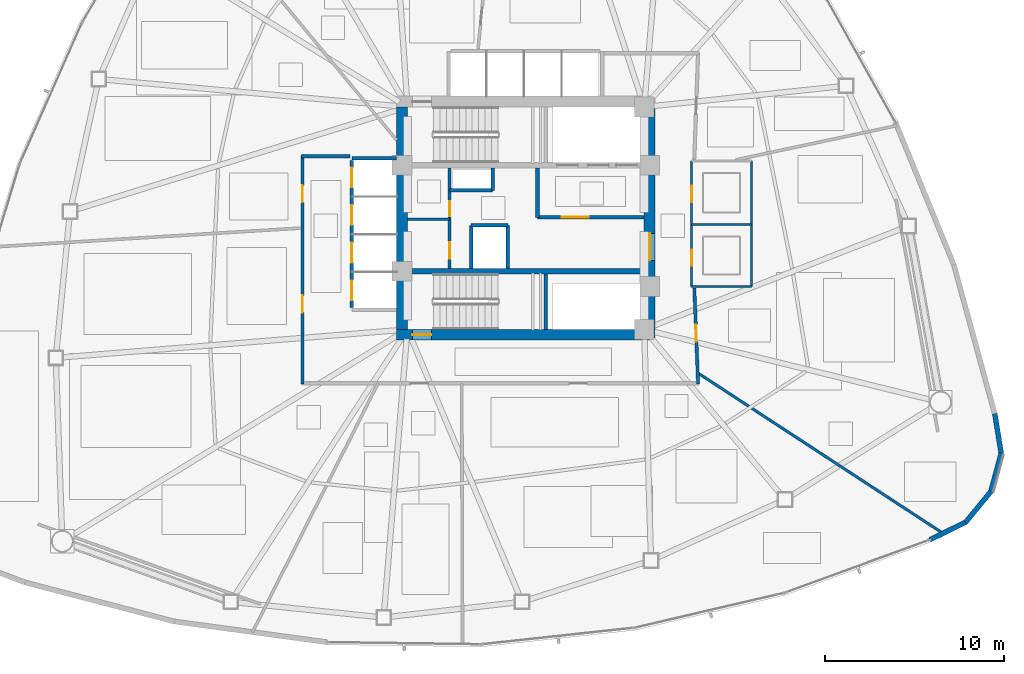
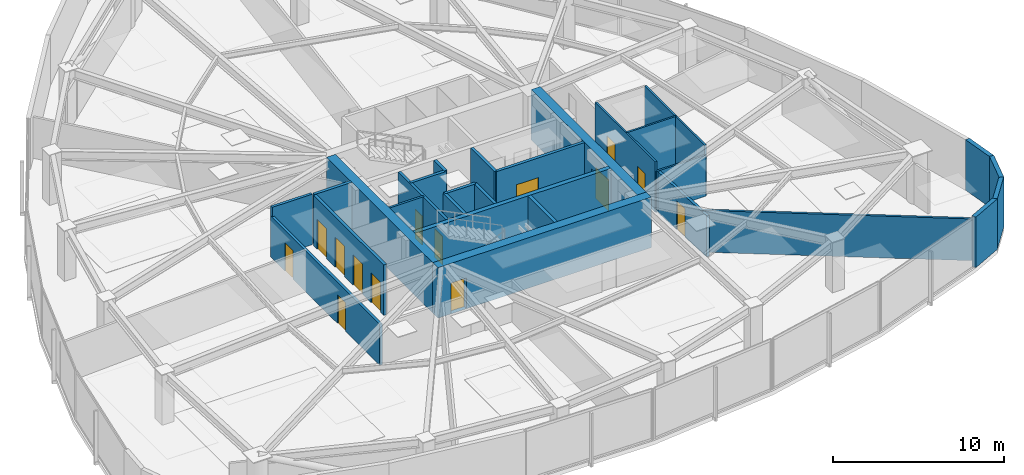
# One storey, part 11 of 16: 28 walls, 14 doors, 14 openings.
"""IFC4 building model written with IfcOpenShell, lengths in metres."""

from ifc_helpers import new_model, si_unit, direction, frame, frame_2d, origin, place, context, subcontext, project, spatial, rectangle, extrude, material, layer, layer_set, type_object, element, fill, save


model = new_model("IFC4")

# Units and contexts
model_context = context("Model", 3, precision=1e-05, world=origin(), true_north=direction((0.0, 1.0)))
body_context = subcontext(model_context, "Body", "Model", "MODEL_VIEW")
ifc_project = project(units=[si_unit("LENGTHUNIT", "METRE"), si_unit("AREAUNIT", "SQUARE_METRE"), si_unit("VOLUMEUNIT", "CUBIC_METRE"), si_unit("PLANEANGLEUNIT", "RADIAN"), si_unit("MASSUNIT", "GRAM", prefix="KILO")], contexts=[model_context])

# Site, building, storey
site_placement = place(None, origin())
site = spatial("IfcSite", under=ifc_project, at=site_placement, CompositionType="ELEMENT")
building_placement = place(site_placement, origin())
building = spatial("IfcBuilding", under=site, at=building_placement, Name="Tavelor Broadcast Tower", CompositionType="ELEMENT")
storey_placement = place(building_placement, frame((0.0, 0.0, 35.39990234375)))
storey = spatial("IfcBuildingStorey", under=building, at=storey_placement, Name="L07", CompositionType="ELEMENT", Elevation=35.39990234375)

# Wall, opening, door
ifc_material_1 = material(Name="Concrete C60/75", Category="concrete")
ifc_layer_1 = layer(ifc_material_1, 0.60009765625)
ifc_layer_set_1 = layer_set([ifc_layer_1], Name="Concrete C60/75")
wall_type_1 = type_object("IfcWallType", Name="Core Shear Wall 600 mm", PredefinedType="SHEAR", material=ifc_layer_set_1)
wall_1_placement = place(storey_placement, frame((42.800048828125, 38.5, 0.0), z_axis=(0.0, 0.0, 1.0), x_axis=(1.0, 0.0, 0.0)))
wall_1 = element("IfcWall", 1, at=wall_1_placement, inside=storey, type_object=wall_type_1, Name="L07 Central Core Shear Wall S", PredefinedType="SHEAR", context=body_context, shape_type="SweptSolid", body=[
    extrude(rectangle(XDim=14.39990234375, YDim=0.60009765625, at=frame_2d((7.199951171875, 0.0))), origin(), (0.0, 0.0, 1.0), 3.60009765625),
])
opening_1_placement = place(wall_1_placement, frame((0.8798828125, 0.0, 0.0)))
opening_1 = element("IfcOpeningElement", 2, at=opening_1_placement, cuts=wall_1, Name="Opening DR11", PredefinedType="OPENING", context=body_context, shape_type="SweptSolid", body=[
    extrude(rectangle(XDim=1.050048828125, YDim=2.199951171875, at=frame_2d((0.52490234375, 1.10009765625))), frame((0.0, 0.31005859375, 0.0), z_axis=(0.0, -1.0, 0.0), x_axis=(1.0, 0.0, 0.0)), (0.0, 0.0, 1.0), 0.6201171875),
])
ifc_material_2 = material(Name="Steel S355", Category="steel")
door_type_1 = type_object("IfcDoorType", Name="Stair Core Fire Escape Door 1050x2200", OperationType="NOTDEFINED", PredefinedType="DOOR", material=ifc_material_2)
door_1_placement = place(opening_1_placement, origin())
door_1 = element("IfcDoor", 3, at=door_1_placement, inside=storey, type_object=door_type_1, Name="L07 Stair ST2 Protected Exit Door", OperationType="SINGLE_SWING_RIGHT", OverallHeight=2.199951171875, OverallWidth=1.050048828125, PredefinedType="DOOR", context=body_context, shape_type="SweptSolid", body=[
    extrude(rectangle(XDim=1.050048828125, YDim=2.199951171875, at=frame_2d((0.52490234375, 1.10009765625))), frame((0.0, 0.02490234375, 0.0), z_axis=(0.0, -1.0, 0.0), x_axis=(1.0, 0.0, 0.0)), (0.0, 0.0, 1.0), 0.050048828125),
])
fill(opening_1, door_1)

# Wall
wall_2_placement = place(storey_placement, frame((43.10009765625, 38.800048828125, 0.0), z_axis=(0.0, 0.0, 1.0), x_axis=(0.0, 1.0, 0.0)))
element("IfcWall", 4, at=wall_2_placement, inside=storey, type_object=wall_type_1, Name="L07 Central Core Shear Wall W", PredefinedType="SHEAR", context=body_context, shape_type="SweptSolid", body=[
    extrude(rectangle(XDim=12.39990234375, YDim=0.60009765625, at=frame_2d((6.199951171875, 0.0))), origin(), (0.0, 0.0, 1.0), 3.60009765625),
])

# Wall, opening, door
wall_3_placement = place(storey_placement, frame((56.89990234375, 38.800048828125, 0.0), z_axis=(0.0, 0.0, 1.0), x_axis=(0.0, 1.0, 0.0)))
wall_3 = element("IfcWall", 5, at=wall_3_placement, inside=storey, type_object=wall_type_1, Name="L07 Central Core Shear Wall E", PredefinedType="SHEAR", context=body_context, shape_type="SweptSolid", body=[
    extrude(rectangle(XDim=12.39990234375, YDim=0.60009765625, at=frame_2d((6.199951171875, 0.0))), origin(), (0.0, 0.0, 1.0), 3.60009765625),
])
opening_2_placement = place(wall_3_placement, frame((3.85009765625, 0.0, 0.0)))
opening_2 = element("IfcOpeningElement", 6, at=opening_2_placement, cuts=wall_3, Name="Opening DR14", PredefinedType="OPENING", context=body_context, shape_type="SweptSolid", body=[
    extrude(rectangle(XDim=1.5, YDim=2.199951171875, at=frame_2d((0.75, 1.10009765625))), frame((0.0, 0.31005859375, 0.0), z_axis=(0.0, -1.0, 0.0), x_axis=(1.0, 0.0, 0.0)), (0.0, 0.0, 1.0), 0.6201171875),
])
door_type_2 = type_object("IfcDoorType", Name="Firefighting Lobby Double Fire Door 1500x2200", OperationType="NOTDEFINED", PredefinedType="DOOR", material=ifc_material_2)
door_2_placement = place(opening_2_placement, origin())
door_2 = element("IfcDoor", 7, at=door_2_placement, inside=storey, type_object=door_type_2, Name="L07 Central Core Lobby Fire Door", OperationType="SINGLE_SWING_RIGHT", OverallHeight=2.199951171875, OverallWidth=1.5, PredefinedType="DOOR", context=body_context, shape_type="SweptSolid", body=[
    extrude(rectangle(XDim=1.5, YDim=2.199951171875, at=frame_2d((0.75, 1.10009765625))), frame((0.0, 0.02490234375, 0.0), z_axis=(0.0, -1.0, 0.0), x_axis=(1.0, 0.0, 0.0)), (0.0, 0.0, 1.0), 0.050048828125),
])
fill(opening_2, door_2)

# Wall
ifc_layer_2 = layer(ifc_material_1, 0.300048828125)
ifc_layer_set_2 = layer_set([ifc_layer_2], Name="Concrete C60/75")
wall_type_2 = type_object("IfcWallType", Name="Core Spine Shear Wall 300 mm C60", PredefinedType="SHEAR", material=ifc_layer_set_2)
wall_4_placement = place(storey_placement, frame((43.39990234375, 42.050048828125, 0.0), z_axis=(0.0, 0.0, 1.0), x_axis=(1.0, 0.0, 0.0)))
element("IfcWall", 8, at=wall_4_placement, inside=storey, type_object=wall_type_2, Name="L07 Central Core Shear Wall SP2", PredefinedType="SHEAR", context=body_context, shape_type="SweptSolid", body=[
    extrude(rectangle(XDim=13.2001953125, YDim=0.300048828125, at=frame_2d((6.60009765625, 0.0))), origin(), (0.0, 0.0, 1.0), 3.60009765625),
])

# Wall, openings, doors
ifc_material_3 = material(Name="Calcium Silicate Fire Board 180 mm", Category="gypsum")
ifc_layer_3 = layer(ifc_material_3, 0.179931640625)
ifc_layer_set_3 = layer_set([ifc_layer_3], Name="Calcium Silicate Fire Board 180 mm")
wall_type_3 = type_object("IfcWallType", Name="Fire-Rated Corridor Partition Wall 180 mm", PredefinedType="PARTITIONING", material=ifc_layer_set_3)
wall_5_placement = place(storey_placement, frame((45.75, 42.199951171875, 0.0), z_axis=(0.0, 0.0, 1.0), x_axis=(0.0, 1.0, 0.0)))
wall_5 = element("IfcWall", 9, at=wall_5_placement, inside=storey, type_object=wall_type_3, Name="L07 Core West Service East Wall", PredefinedType="PARTITIONING", context=body_context, shape_type="SweptSolid", body=[
    extrude(rectangle(XDim=5.60009765625, YDim=0.179931640625, at=frame_2d((2.800048828125, 0.0))), origin(), (0.0, 0.0, 1.0), 3.60009765625),
])
opening_3_placement = place(wall_5_placement, frame((0.550048828125, 0.0, 0.0)))
opening_3 = element("IfcOpeningElement", 10, at=opening_3_placement, cuts=wall_5, Name="Opening DR32", PredefinedType="OPENING", context=body_context, shape_type="SweptSolid", body=[
    extrude(rectangle(XDim=0.89990234375, YDim=2.050048828125, at=frame_2d((0.449951171875, 1.02490234375))), frame((0.0, 0.10009765625, 0.0), z_axis=(0.0, -1.0, 0.0), x_axis=(1.0, 0.0, 0.0)), (0.0, 0.0, 1.0), 0.199951171875),
])
opening_4_placement = place(wall_5_placement, frame((2.89990234375, 0.0, 0.0)))
opening_4 = element("IfcOpeningElement", 11, at=opening_4_placement, cuts=wall_5, Name="Opening DR36", PredefinedType="OPENING", context=body_context, shape_type="SweptSolid", body=[
    extrude(rectangle(XDim=0.85009765625, YDim=2.050048828125, at=frame_2d((0.425048828125, 1.02490234375))), frame((0.0, 0.10009765625, 0.0), z_axis=(0.0, -1.0, 0.0), x_axis=(1.0, 0.0, 0.0)), (0.0, 0.0, 1.0), 0.199951171875),
])
ifc_material_4 = material(Name="Timber Solid Core Hardwood", Category="wood")
door_type_3 = type_object("IfcDoorType", Name="Accessible Washroom Door 900x2050", OperationType="NOTDEFINED", PredefinedType="DOOR", material=ifc_material_4)
door_3_placement = place(opening_3_placement, origin())
door_3 = element("IfcDoor", 12, at=door_3_placement, inside=storey, type_object=door_type_3, Name="L07 Core Accessible WC Door", OperationType="SINGLE_SWING_LEFT", OverallHeight=2.050048828125, OverallWidth=0.89990234375, PredefinedType="DOOR", context=body_context, shape_type="SweptSolid", body=[
    extrude(rectangle(XDim=0.89990234375, YDim=2.050048828125, at=frame_2d((0.449951171875, 1.02490234375))), frame((0.0, 0.02490234375, 0.0), z_axis=(0.0, -1.0, 0.0), x_axis=(1.0, 0.0, 0.0)), (0.0, 0.0, 1.0), 0.050048828125),
])
fill(opening_3, door_3)
door_type_4 = type_object("IfcDoorType", Name="Service Room Fire Door 850x2050", OperationType="NOTDEFINED", PredefinedType="DOOR", material=ifc_material_2)
door_4_placement = place(opening_4_placement, origin())
door_4 = element("IfcDoor", 13, at=door_4_placement, inside=storey, type_object=door_type_4, Name="L07 Core Cleaner Store Door", OperationType="SINGLE_SWING_RIGHT", OverallHeight=2.050048828125, OverallWidth=0.85009765625, PredefinedType="DOOR", context=body_context, shape_type="SweptSolid", body=[
    extrude(rectangle(XDim=0.85009765625, YDim=2.050048828125, at=frame_2d((0.425048828125, 1.02490234375))), frame((0.0, 0.02490234375, 0.0), z_axis=(0.0, -1.0, 0.0), x_axis=(1.0, 0.0, 0.0)), (0.0, 0.0, 1.0), 0.050048828125),
])
fill(opening_4, door_4)

# Wall, opening, door
wall_6_placement = place(storey_placement, frame((59.39208984375, 41.10009765625, 0.0), z_axis=(0.0, 0.0, 1.0), x_axis=(0.03921413315, -0.999230830069, 0.0)))
wall_6 = element("IfcWall", 14, at=wall_6_placement, inside=storey, type_object=wall_type_3, Name="L07 Corridor Compartment Wall 03", PredefinedType="PARTITIONING", context=body_context, shape_type="SweptSolid", body=[
    extrude(rectangle(XDim=5.354248046875, YDim=0.179931640625, at=frame_2d((2.67724609375, 0.0))), origin(), (0.0, 0.0, 1.0), 2.925048828125),
])
opening_5_placement = place(wall_6_placement, frame((2.037353515625, 0.0, 0.0)))
opening_5 = element("IfcOpeningElement", 15, at=opening_5_placement, cuts=wall_6, Name="Opening DR18", PredefinedType="OPENING", context=body_context, shape_type="SweptSolid", body=[
    extrude(rectangle(XDim=0.949951171875, YDim=2.050048828125, at=frame_2d((0.47509765625, 1.02490234375))), frame((0.0, 0.10009765625, 0.0), z_axis=(0.0, -1.0, 0.0), x_axis=(1.0, 0.0, 0.0)), (0.0, 0.0, 1.0), 0.199951171875),
])
door_type_5 = type_object("IfcDoorType", Name="Corridor Rated Compartment Door 950x2050", OperationType="NOTDEFINED", PredefinedType="DOOR", material=ifc_material_4)
door_5_placement = place(opening_5_placement, origin())
door_5 = element("IfcDoor", 16, at=door_5_placement, inside=storey, type_object=door_type_5, Name="L07 Audio Dubbing Studio Door R6", OperationType="SINGLE_SWING_RIGHT", OverallHeight=2.050048828125, OverallWidth=0.949951171875, PredefinedType="DOOR", context=body_context, shape_type="SweptSolid", body=[
    extrude(rectangle(XDim=0.949951171875, YDim=2.050048828125, at=frame_2d((0.47509765625, 1.02490234375))), frame((0.0, 0.02490234375, 0.0), z_axis=(0.0, -1.0, 0.0), x_axis=(1.0, 0.0, 0.0)), (0.0, 0.0, 1.0), 0.050048828125),
])
fill(opening_5, door_5)

# Wall, openings, doors
wall_7_placement = place(storey_placement, frame((37.550048828125, 35.75, 0.0), z_axis=(0.0, 0.0, 1.0), x_axis=(0.0, 1.0, 0.0)))
wall_7 = element("IfcWall", 17, at=wall_7_placement, inside=storey, type_object=wall_type_3, Name="L07 Corridor Compartment Wall 05", PredefinedType="PARTITIONING", context=body_context, shape_type="SweptSolid", body=[
    extrude(rectangle(XDim=12.75, YDim=0.179931640625, at=frame_2d((6.375, 0.0))), origin(), (0.0, 0.0, 1.0), 2.925048828125),
])
opening_6_placement = place(wall_7_placement, frame((3.992919921875, 0.0, 0.0)))
opening_6 = element("IfcOpeningElement", 18, at=opening_6_placement, cuts=wall_7, Name="Opening DR18", PredefinedType="OPENING", context=body_context, shape_type="SweptSolid", body=[
    extrude(rectangle(XDim=0.949951171875, YDim=2.050048828125, at=frame_2d((0.47509765625, 1.02490234375))), frame((0.0, 0.10009765625, 0.0), z_axis=(0.0, -1.0, 0.0), x_axis=(1.0, 0.0, 0.0)), (0.0, 0.0, 1.0), 0.199951171875),
])
opening_7_placement = place(wall_7_placement, frame((10.13232421875, 0.0, 0.0)))
opening_7 = element("IfcOpeningElement", 19, at=opening_7_placement, cuts=wall_7, Name="Opening DR18", PredefinedType="OPENING", context=body_context, shape_type="SweptSolid", body=[
    extrude(rectangle(XDim=0.949951171875, YDim=2.050048828125, at=frame_2d((0.47509765625, 1.02490234375))), frame((0.0, 0.10009765625, 0.0), z_axis=(0.0, -1.0, 0.0), x_axis=(1.0, 0.0, 0.0)), (0.0, 0.0, 1.0), 0.199951171875),
])
door_6_placement = place(opening_6_placement, origin())
door_6 = element("IfcDoor", 20, at=door_6_placement, inside=storey, type_object=door_type_5, Name="L07 International Bureau Office Door R2", OperationType="SINGLE_SWING_LEFT", OverallHeight=2.050048828125, OverallWidth=0.949951171875, PredefinedType="DOOR", context=body_context, shape_type="SweptSolid", body=[
    extrude(rectangle(XDim=0.949951171875, YDim=2.050048828125, at=frame_2d((0.47509765625, 1.02490234375))), frame((0.0, 0.02490234375, 0.0), z_axis=(0.0, -1.0, 0.0), x_axis=(1.0, 0.0, 0.0)), (0.0, 0.0, 1.0), 0.050048828125),
])
fill(opening_6, door_6)
door_7_placement = place(opening_7_placement, origin())
door_7 = element("IfcDoor", 21, at=door_7_placement, inside=storey, type_object=door_type_5, Name="L07 Documentary Planning Office Door R3", OperationType="SINGLE_SWING_RIGHT", OverallHeight=2.050048828125, OverallWidth=0.949951171875, PredefinedType="DOOR", context=body_context, shape_type="SweptSolid", body=[
    extrude(rectangle(XDim=0.949951171875, YDim=2.050048828125, at=frame_2d((0.47509765625, 1.02490234375))), frame((0.0, 0.02490234375, 0.0), z_axis=(0.0, -1.0, 0.0), x_axis=(1.0, 0.0, 0.0)), (0.0, 0.0, 1.0), 0.050048828125),
])
fill(opening_7, door_7)

# Walls
wall_8_placement = place(storey_placement, frame((37.5, 48.449951171875, 0.0), z_axis=(0.0, 0.0, 1.0), x_axis=(1.0, 0.0, 0.0)))
element("IfcWall", 22, at=wall_8_placement, inside=storey, type_object=wall_type_3, Name="L07 Corridor Compartment Wall 06", PredefinedType="PARTITIONING", context=body_context, shape_type="SweptSolid", body=[
    extrude(rectangle(XDim=2.699951171875, YDim=0.179931640625, at=frame_2d((1.35009765625, 0.0))), origin(), (0.0, 0.0, 1.0), 3.60009765625),
])
ifc_material_5 = material(Name="Precast Concrete C40/50", Category="concrete")
ifc_layer_4 = layer(ifc_material_5, 0.280029296875)
ifc_layer_set_4 = layer_set([ifc_layer_4], Name="Precast Concrete C40/50")
wall_type_4 = type_object("IfcWallType", Name="Insulated Precast Terracotta Facade Wall 280 mm", PredefinedType="STANDARD", material=ifc_layer_set_4)
wall_9_placement = place(storey_placement, frame((72.524169921875, 27.07275390625, 0.0), z_axis=(0.0, 0.0, 1.0), x_axis=(0.896849598434, 0.442335616686, 0.0)))
element("IfcWall", 23, at=wall_9_placement, inside=storey, type_object=wall_type_4, Name="L07 Rounded Corner Structural Cladding Pier 21", PredefinedType="STANDARD", context=body_context, shape_type="SweptSolid", body=[
    extrude(rectangle(XDim=2.245361328125, YDim=0.280029296875, at=frame_2d((1.12255859375, 0.0))), origin(), (0.0, 0.0, 1.0), 3.60009765625),
])
for number, where, z_axis, x_axis, name in (
    (24, (74.514892578125, 28.047607421875, 0.0), (0.0, 0.0, 1.0), (0.635377765372, 0.772201460288, 0.0), "L07 Rounded Corner Structural Cladding Pier 22"),
    (25, (75.9208984375, 29.74658203125, 0.0), (0.0, 0.0, 1.0), (0.261313652447, 0.965253943294, 0.0), "L07 Rounded Corner Structural Cladding Pier 23"),
):
    element("IfcWall", number, at=place(storey_placement, frame(where, z_axis=z_axis, x_axis=x_axis)), inside=storey, type_object=wall_type_4, Name=name, PredefinedType="STANDARD", context=body_context, shape_type="SweptSolid", body=[
        extrude(rectangle(XDim=2.23388671875, YDim=0.280029296875, at=frame_2d((1.116943359375, 0.0))), origin(), (0.0, 0.0, 1.0), 3.60009765625),
    ])
wall_10_placement = place(storey_placement, frame((76.503173828125, 31.87353515625, 0.0), z_axis=(0.0, 0.0, 1.0), x_axis=(-0.15904534574, 0.987271278828, 0.0)))
element("IfcWall", 26, at=wall_10_placement, inside=storey, type_object=wall_type_4, Name="L07 Rounded Corner Structural Cladding Pier 24", PredefinedType="STANDARD", context=body_context, shape_type="SweptSolid", body=[
    extrude(rectangle(XDim=2.256591796875, YDim=0.280029296875, at=frame_2d((1.12841796875, 0.0))), origin(), (0.0, 0.0, 1.0), 3.60009765625),
])
ifc_material_6 = material(Name="Gypsum Acoustic Plasterboard 150 mm", Category="gypsum")
ifc_layer_5 = layer(ifc_material_6, 0.14990234375)
ifc_layer_set_5 = layer_set([ifc_layer_5], Name="Gypsum Acoustic Plasterboard 150 mm")
wall_type_5 = type_object("IfcWallType", Name="Interior Acoustic Partition Wall 150 mm", PredefinedType="PARTITIONING", material=ifc_layer_set_5)
wall_11_placement = place(storey_placement, frame((43.39990234375, 44.949951171875, 0.0), z_axis=(0.0, 0.0, 1.0), x_axis=(1.0, 0.0, 0.0)))
element("IfcWall", 27, at=wall_11_placement, inside=storey, type_object=wall_type_5, Name="L07 Core Split Wall A", PredefinedType="PARTITIONING", context=body_context, shape_type="SweptSolid", body=[
    extrude(rectangle(XDim=2.35009765625, YDim=0.14990234375, at=frame_2d((1.175048828125, 0.0))), origin(), (0.0, 0.0, 1.0), 3.60009765625),
])
wall_12_placement = place(storey_placement, frame((59.5771484375, 36.380615234375, 0.0), z_axis=(0.0, 0.0, 1.0), x_axis=(0.836859418648, -0.547417859975, 0.0)))
element("IfcWall", 28, at=wall_12_placement, inside=storey, type_object=wall_type_5, Name="L07 Radial Compartment Wall 07", PredefinedType="PARTITIONING", context=body_context, shape_type="SweptSolid", body=[
    extrude(rectangle(XDim=16.356201171875, YDim=0.14990234375, at=frame_2d((8.17822265625, 0.0))), origin(), (0.0, 0.0, 1.0), 2.97509765625),
])

# Wall, openings, doors
ifc_material_7 = material(Name="Concrete Blockwork 200 mm", Category="masonry")
ifc_layer_6 = layer(ifc_material_7, 0.199951171875)
ifc_layer_set_6 = layer_set([ifc_layer_6], Name="Concrete Blockwork 200 mm")
wall_type_6 = type_object("IfcWallType", Name="Lift Hoistway Rated Front Wall 200 mm", PredefinedType="PARTITIONING", material=ifc_layer_set_6)
wall_13_placement = place(storey_placement, frame((40.300048828125, 40.02001953125, 0.0), z_axis=(0.0, 0.0, 1.0), x_axis=(0.0, 1.0, 0.0)))
wall_13 = element("IfcWall", 29, at=wall_13_placement, inside=storey, type_object=wall_type_6, Name="L07 Low-Rise Lift Hoistway Front Wall", PredefinedType="PARTITIONING", context=body_context, shape_type="SweptSolid", body=[
    extrude(rectangle(XDim=8.2099609375, YDim=0.199951171875, at=frame_2d((4.10498046875, 0.0))), origin(), (0.0, 0.0, 1.0), 3.60009765625),
])
opening_8_placement = place(wall_13_placement, frame((0.405029296875, 0.0, 0.0)))
opening_8 = element("IfcOpeningElement", 30, at=opening_8_placement, cuts=wall_13, Name="Opening LD01", PredefinedType="OPENING", context=body_context, shape_type="SweptSolid", body=[
    extrude(rectangle(XDim=1.10009765625, YDim=2.14990234375, at=frame_2d((0.550048828125, 1.074951171875))), frame((0.0, 0.10986328125, 0.0), z_axis=(0.0, -1.0, 0.0), x_axis=(1.0, 0.0, 0.0)), (0.0, 0.0, 1.0), 0.219970703125),
])
opening_9_placement = place(wall_13_placement, frame((2.5048828125, 0.0, 0.0)))
opening_9 = element("IfcOpeningElement", 31, at=opening_9_placement, cuts=wall_13, Name="Opening LD01", PredefinedType="OPENING", context=body_context, shape_type="SweptSolid", body=[
    extrude(rectangle(XDim=1.10009765625, YDim=2.14990234375, at=frame_2d((0.550048828125, 1.074951171875))), frame((0.0, 0.10986328125, 0.0), z_axis=(0.0, -1.0, 0.0), x_axis=(1.0, 0.0, 0.0)), (0.0, 0.0, 1.0), 0.219970703125),
])
opening_10_placement = place(wall_13_placement, frame((4.60498046875, 0.0, 0.0)))
opening_10 = element("IfcOpeningElement", 32, at=opening_10_placement, cuts=wall_13, Name="Opening LD01", PredefinedType="OPENING", context=body_context, shape_type="SweptSolid", body=[
    extrude(rectangle(XDim=1.10009765625, YDim=2.14990234375, at=frame_2d((0.550048828125, 1.074951171875))), frame((0.0, 0.10986328125, 0.0), z_axis=(0.0, -1.0, 0.0), x_axis=(1.0, 0.0, 0.0)), (0.0, 0.0, 1.0), 0.219970703125),
])
opening_11_placement = place(wall_13_placement, frame((6.705078125, 0.0, 0.0)))
opening_11 = element("IfcOpeningElement", 33, at=opening_11_placement, cuts=wall_13, Name="Opening LD01", PredefinedType="OPENING", context=body_context, shape_type="SweptSolid", body=[
    extrude(rectangle(XDim=1.10009765625, YDim=2.14990234375, at=frame_2d((0.550048828125, 1.074951171875))), frame((0.0, 0.10986328125, 0.0), z_axis=(0.0, -1.0, 0.0), x_axis=(1.0, 0.0, 0.0)), (0.0, 0.0, 1.0), 0.219970703125),
])
ifc_material_8 = material(Name="Brushed Stainless Steel", Category="steel")
door_type_6 = type_object("IfcDoorType", Name="Passenger Lift Sliding Landing Door 1100x2150", OperationType="NOTDEFINED", PredefinedType="DOOR", material=ifc_material_8)
door_8_placement = place(opening_8_placement, origin())
door_8 = element("IfcDoor", 34, at=door_8_placement, inside=storey, type_object=door_type_6, Name="L07 Lift PLL1 Sliding Landing Door", OperationType="SLIDING_TO_LEFT", OverallHeight=2.14990234375, OverallWidth=1.10009765625, PredefinedType="DOOR", context=body_context, shape_type="SweptSolid", body=[
    extrude(rectangle(XDim=1.10009765625, YDim=2.14990234375, at=frame_2d((0.550048828125, 1.074951171875))), frame((0.0, 0.02490234375, 0.0), z_axis=(0.0, -1.0, 0.0), x_axis=(1.0, 0.0, 0.0)), (0.0, 0.0, 1.0), 0.050048828125),
])
fill(opening_8, door_8)
door_9_placement = place(opening_9_placement, origin())
door_9 = element("IfcDoor", 35, at=door_9_placement, inside=storey, type_object=door_type_6, Name="L07 Lift PLL2 Sliding Landing Door", OperationType="SLIDING_TO_RIGHT", OverallHeight=2.14990234375, OverallWidth=1.10009765625, PredefinedType="DOOR", context=body_context, shape_type="SweptSolid", body=[
    extrude(rectangle(XDim=1.10009765625, YDim=2.14990234375, at=frame_2d((0.550048828125, 1.074951171875))), frame((0.0, 0.02490234375, 0.0), z_axis=(0.0, -1.0, 0.0), x_axis=(1.0, 0.0, 0.0)), (0.0, 0.0, 1.0), 0.050048828125),
])
fill(opening_9, door_9)
door_10_placement = place(opening_10_placement, origin())
door_10 = element("IfcDoor", 36, at=door_10_placement, inside=storey, type_object=door_type_6, Name="L07 Lift PLL3 Sliding Landing Door", OperationType="SLIDING_TO_LEFT", OverallHeight=2.14990234375, OverallWidth=1.10009765625, PredefinedType="DOOR", context=body_context, shape_type="SweptSolid", body=[
    extrude(rectangle(XDim=1.10009765625, YDim=2.14990234375, at=frame_2d((0.550048828125, 1.074951171875))), frame((0.0, 0.02490234375, 0.0), z_axis=(0.0, -1.0, 0.0), x_axis=(1.0, 0.0, 0.0)), (0.0, 0.0, 1.0), 0.050048828125),
])
fill(opening_10, door_10)
door_11_placement = place(opening_11_placement, origin())
door_11 = element("IfcDoor", 37, at=door_11_placement, inside=storey, type_object=door_type_6, Name="L07 Lift PLL4 Sliding Landing Door", OperationType="SLIDING_TO_RIGHT", OverallHeight=2.14990234375, OverallWidth=1.10009765625, PredefinedType="DOOR", context=body_context, shape_type="SweptSolid", body=[
    extrude(rectangle(XDim=1.10009765625, YDim=2.14990234375, at=frame_2d((0.550048828125, 1.074951171875))), frame((0.0, 0.02490234375, 0.0), z_axis=(0.0, -1.0, 0.0), x_axis=(1.0, 0.0, 0.0)), (0.0, 0.0, 1.0), 0.050048828125),
])
fill(opening_11, door_11)

# Walls
wall_14_placement = place(storey_placement, frame((49.0, 42.199951171875, 0.0), z_axis=(0.0, 0.0, 1.0), x_axis=(0.0, 1.0, 0.0)))
element("IfcWall", 38, at=wall_14_placement, inside=storey, type_object=wall_type_6, Name="L07 Mid-Rise Lift PLM4 Hoistway Front Wall", PredefinedType="PARTITIONING", context=body_context, shape_type="SweptSolid", body=[
    extrude(rectangle(XDim=2.400146484375, YDim=0.199951171875, at=frame_2d((1.2001953125, 0.0))), origin(), (0.0, 0.0, 1.0), 3.60009765625),
])
ifc_layer_7 = layer(ifc_material_7, 0.199951171875)
ifc_layer_set_7 = layer_set([ifc_layer_7], Name="Concrete Blockwork 200 mm")
wall_type_7 = type_object("IfcWallType", Name="Lift and Riser Shaft Enclosure Wall 200 mm", PredefinedType="PARTITIONING", material=ifc_layer_set_7)
wall_15_placement = place(storey_placement, frame((40.300048828125, 48.35009765625, 0.0), z_axis=(0.0, 0.0, 1.0), x_axis=(1.0, 0.0, 0.0)))
element("IfcWall", 39, at=wall_15_placement, inside=storey, type_object=wall_type_7, Name="L07 Low-Rise Lift Shaft North Wall", PredefinedType="PARTITIONING", context=body_context, shape_type="SweptSolid", body=[
    extrude(rectangle(XDim=2.5, YDim=0.199951171875, at=frame_2d((1.25, 0.0))), origin(), (0.0, 0.0, 1.0), 3.60009765625),
])
wall_16_placement = place(storey_placement, frame((45.75, 46.550048828125, 0.0), z_axis=(0.0, 0.0, 1.0), x_axis=(1.0, 0.0, 0.0)))
element("IfcWall", 40, at=wall_16_placement, inside=storey, type_object=wall_type_7, Name="L07 Riser Shaft South Wall", PredefinedType="PARTITIONING", context=body_context, shape_type="SweptSolid", body=[
    extrude(rectangle(XDim=2.39990234375, YDim=0.199951171875, at=frame_2d((1.199951171875, 0.0))), origin(), (0.0, 0.0, 1.0), 3.60009765625),
])
wall_17_placement = place(storey_placement, frame((48.14990234375, 46.550048828125, 0.0), z_axis=(0.0, 0.0, 1.0), x_axis=(0.0, 1.0, 0.0)))
element("IfcWall", 41, at=wall_17_placement, inside=storey, type_object=wall_type_7, Name="L07 Riser Shaft East Wall", PredefinedType="PARTITIONING", context=body_context, shape_type="SweptSolid", body=[
    extrude(rectangle(XDim=1.25, YDim=0.199951171875, at=frame_2d((0.625, 0.0))), origin(), (0.0, 0.0, 1.0), 3.60009765625),
])
wall_18_placement = place(storey_placement, frame((46.949951171875, 42.199951171875, 0.0), z_axis=(0.0, 0.0, 1.0), x_axis=(0.0, 1.0, 0.0)))
element("IfcWall", 42, at=wall_18_placement, inside=storey, type_object=wall_type_7, Name="L07 Mid-Rise Lift PLM4 West Wall", PredefinedType="PARTITIONING", context=body_context, shape_type="SweptSolid", body=[
    extrude(rectangle(XDim=2.400146484375, YDim=0.199951171875, at=frame_2d((1.2001953125, 0.0))), origin(), (0.0, 0.0, 1.0), 3.60009765625),
])
wall_19_placement = place(storey_placement, frame((46.949951171875, 44.60009765625, 0.0), z_axis=(0.0, 0.0, 1.0), x_axis=(1.0, 0.0, 0.0)))
element("IfcWall", 43, at=wall_19_placement, inside=storey, type_object=wall_type_7, Name="L07 Mid-Rise Lift PLM4 North Wall", PredefinedType="PARTITIONING", context=body_context, shape_type="SweptSolid", body=[
    extrude(rectangle(XDim=2.050048828125, YDim=0.199951171875, at=frame_2d((1.02490234375, 0.0))), origin(), (0.0, 0.0, 1.0), 3.60009765625),
])

# Wall, opening, door
wall_20_placement = place(storey_placement, frame((50.64990234375, 45.050048828125, 0.0), z_axis=(0.0, 0.0, 1.0), x_axis=(1.0, 0.0, 0.0)))
wall_20 = element("IfcWall", 44, at=wall_20_placement, inside=storey, type_object=wall_type_7, Name="L07 Firefighting Lobby South Wall", PredefinedType="PARTITIONING", context=body_context, shape_type="SweptSolid", body=[
    extrude(rectangle(XDim=5.9501953125, YDim=0.199951171875, at=frame_2d((2.97509765625, 0.0))), origin(), (0.0, 0.0, 1.0), 3.60009765625),
])
opening_12_placement = place(wall_20_placement, frame((1.35009765625, 0.0, 0.0)))
opening_12 = element("IfcOpeningElement", 45, at=opening_12_placement, cuts=wall_20, Name="Opening DR14", PredefinedType="OPENING", context=body_context, shape_type="SweptSolid", body=[
    extrude(rectangle(XDim=1.5, YDim=2.199951171875, at=frame_2d((0.75, 1.10009765625))), frame((0.0, 0.10986328125, 0.0), z_axis=(0.0, -1.0, 0.0), x_axis=(1.0, 0.0, 0.0)), (0.0, 0.0, 1.0), 0.219970703125),
])
door_12_placement = place(opening_12_placement, origin())
door_12 = element("IfcDoor", 46, at=door_12_placement, inside=storey, type_object=door_type_2, Name="L07 Firefighting Lobby Compartment Door", OperationType="SINGLE_SWING_LEFT", OverallHeight=2.199951171875, OverallWidth=1.5, PredefinedType="DOOR", context=body_context, shape_type="SweptSolid", body=[
    extrude(rectangle(XDim=1.5, YDim=2.199951171875, at=frame_2d((0.75, 1.10009765625))), frame((0.0, 0.02490234375, 0.0), z_axis=(0.0, -1.0, 0.0), x_axis=(1.0, 0.0, 0.0)), (0.0, 0.0, 1.0), 0.050048828125),
])
fill(opening_12, door_12)

# Wall
wall_21_placement = place(storey_placement, frame((50.64990234375, 45.050048828125, 0.0), z_axis=(0.0, 0.0, 1.0), x_axis=(0.0, 1.0, 0.0)))
element("IfcWall", 47, at=wall_21_placement, inside=storey, type_object=wall_type_7, Name="L07 Firefighting Lobby West Wall", PredefinedType="PARTITIONING", context=body_context, shape_type="SweptSolid", body=[
    extrude(rectangle(XDim=2.75, YDim=0.199951171875, at=frame_2d((1.375, 0.0))), origin(), (0.0, 0.0, 1.0), 3.60009765625),
])

# Wall, openings, doors
ifc_material_9 = material(Name="Moisture-Resistant Plasterboard 120 mm", Category="gypsum")
ifc_layer_8 = layer(ifc_material_9, 0.1201171875)
ifc_layer_set_8 = layer_set([ifc_layer_8], Name="Moisture-Resistant Plasterboard 120 mm")
wall_type_8 = type_object("IfcWallType", Name="Moisture-Resistant Wet-Room Partition 120 mm", PredefinedType="PARTITIONING", material=ifc_layer_set_8)
wall_22_placement = place(storey_placement, frame((59.239990234375, 41.199951171875, 0.0), z_axis=(0.0, 0.0, 1.0), x_axis=(0.0, 1.0, 0.0)))
wall_22 = element("IfcWall", 48, at=wall_22_placement, inside=storey, type_object=wall_type_8, Name="L07 Floor Washrooms West Wall", PredefinedType="PARTITIONING", context=body_context, shape_type="SweptSolid", body=[
    extrude(rectangle(XDim=7.0, YDim=0.1201171875, at=frame_2d((3.5, 0.0))), origin(), (0.0, 0.0, 1.0), 3.60009765625),
])
opening_13_placement = place(wall_22_placement, frame((1.14990234375, 0.0, 0.0)))
opening_13 = element("IfcOpeningElement", 49, at=opening_13_placement, cuts=wall_22, Name="Opening DR32", PredefinedType="OPENING", context=body_context, shape_type="SweptSolid", body=[
    extrude(rectangle(XDim=0.89990234375, YDim=2.050048828125, at=frame_2d((0.449951171875, 1.02490234375))), frame((0.0, 0.070068359375, 0.0), z_axis=(0.0, -1.0, 0.0), x_axis=(1.0, 0.0, 0.0)), (0.0, 0.0, 1.0), 0.14013671875),
])
opening_14_placement = place(wall_22_placement, frame((4.699951171875, 0.0, 0.0)))
opening_14 = element("IfcOpeningElement", 50, at=opening_14_placement, cuts=wall_22, Name="Opening DR32", PredefinedType="OPENING", context=body_context, shape_type="SweptSolid", body=[
    extrude(rectangle(XDim=0.89990234375, YDim=2.050048828125, at=frame_2d((0.449951171875, 1.02490234375))), frame((0.0, 0.070068359375, 0.0), z_axis=(0.0, -1.0, 0.0), x_axis=(1.0, 0.0, 0.0)), (0.0, 0.0, 1.0), 0.14013671875),
])
door_13_placement = place(opening_13_placement, origin())
door_13 = element("IfcDoor", 51, at=door_13_placement, inside=storey, type_object=door_type_3, Name="L07 Accessible WC Door", OperationType="SINGLE_SWING_LEFT", OverallHeight=2.050048828125, OverallWidth=0.89990234375, PredefinedType="DOOR", context=body_context, shape_type="SweptSolid", body=[
    extrude(rectangle(XDim=0.89990234375, YDim=2.050048828125, at=frame_2d((0.449951171875, 1.02490234375))), frame((0.0, 0.02490234375, 0.0), z_axis=(0.0, -1.0, 0.0), x_axis=(1.0, 0.0, 0.0)), (0.0, 0.0, 1.0), 0.050048828125),
])
fill(opening_13, door_13)
door_14_placement = place(opening_14_placement, origin())
door_14 = element("IfcDoor", 52, at=door_14_placement, inside=storey, type_object=door_type_3, Name="L07 Staff Washroom WC Door", OperationType="SINGLE_SWING_RIGHT", OverallHeight=2.050048828125, OverallWidth=0.89990234375, PredefinedType="DOOR", context=body_context, shape_type="SweptSolid", body=[
    extrude(rectangle(XDim=0.89990234375, YDim=2.050048828125, at=frame_2d((0.449951171875, 1.02490234375))), frame((0.0, 0.02490234375, 0.0), z_axis=(0.0, -1.0, 0.0), x_axis=(1.0, 0.0, 0.0)), (0.0, 0.0, 1.0), 0.050048828125),
])
fill(opening_14, door_14)

# Walls
wall_23_placement = place(storey_placement, frame((59.239990234375, 41.199951171875, 0.0), z_axis=(0.0, 0.0, 1.0), x_axis=(1.0, 0.0, 0.0)))
element("IfcWall", 53, at=wall_23_placement, inside=storey, type_object=wall_type_8, Name="L07 Floor Washrooms South Wall", PredefinedType="PARTITIONING", context=body_context, shape_type="SweptSolid", body=[
    extrude(rectangle(XDim=3.340087890625, YDim=0.1201171875, at=frame_2d((1.669921875, 0.0))), origin(), (0.0, 0.0, 1.0), 2.925048828125),
])
wall_24_placement = place(storey_placement, frame((59.239990234375, 44.64990234375, 0.0), z_axis=(0.0, 0.0, 1.0), x_axis=(1.0, 0.0, 0.0)))
element("IfcWall", 54, at=wall_24_placement, inside=storey, type_object=wall_type_8, Name="L07 Floor Washrooms Divider Wall", PredefinedType="PARTITIONING", context=body_context, shape_type="SweptSolid", body=[
    extrude(rectangle(XDim=3.340087890625, YDim=0.1201171875, at=frame_2d((1.669921875, 0.0))), origin(), (0.0, 0.0, 1.0), 3.60009765625),
])
wall_25_placement = place(storey_placement, frame((62.580078125, 41.199951171875, 0.0), z_axis=(0.0, 0.0, 1.0), x_axis=(0.0, 1.0, 0.0)))
element("IfcWall", 55, at=wall_25_placement, inside=storey, type_object=wall_type_8, Name="L07 Floor Washrooms East Wall", PredefinedType="PARTITIONING", context=body_context, shape_type="SweptSolid", body=[
    extrude(rectangle(XDim=7.0, YDim=0.1201171875, at=frame_2d((3.5, 0.0))), origin(), (0.0, 0.0, 1.0), 3.60009765625),
])
ifc_material_10 = material(Name="Concrete C40/50", Category="concrete")
ifc_layer_9 = layer(ifc_material_10, 0.219970703125)
ifc_layer_set_9 = layer_set([ifc_layer_9], Name="Concrete C40/50")
wall_type_9 = type_object("IfcWallType", Name="Structural Stairwell Shear Wall 220 mm", PredefinedType="SHEAR", material=ifc_layer_set_9)
wall_26_placement = place(storey_placement, frame((51.110107421875, 38.800048828125, 0.0), z_axis=(0.0, 0.0, 1.0), x_axis=(0.0, 1.0, 0.0)))
element("IfcWall", 56, at=wall_26_placement, inside=storey, type_object=wall_type_9, Name="L07 Stair ST2 Structural Shaft Wall", PredefinedType="SHEAR", context=body_context, shape_type="SweptSolid", body=[
    extrude(rectangle(XDim=3.099853515625, YDim=0.219970703125, at=frame_2d((1.5498046875, 0.0))), origin(), (0.0, 0.0, 1.0), 3.60009765625),
])

save(model, "model.ifc")
